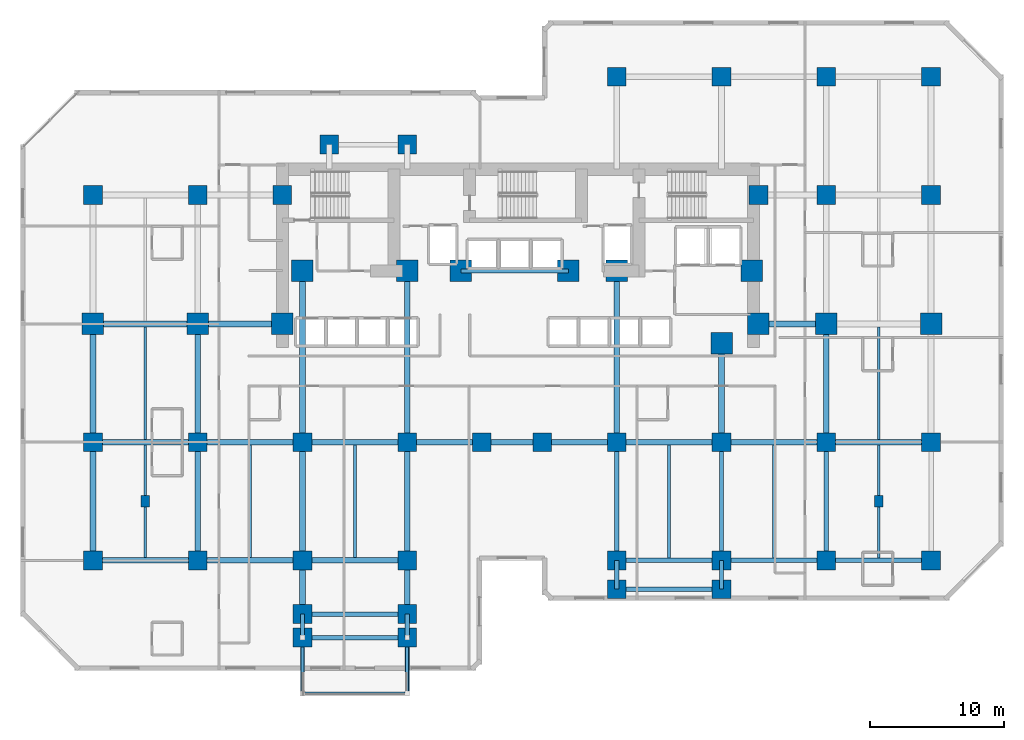
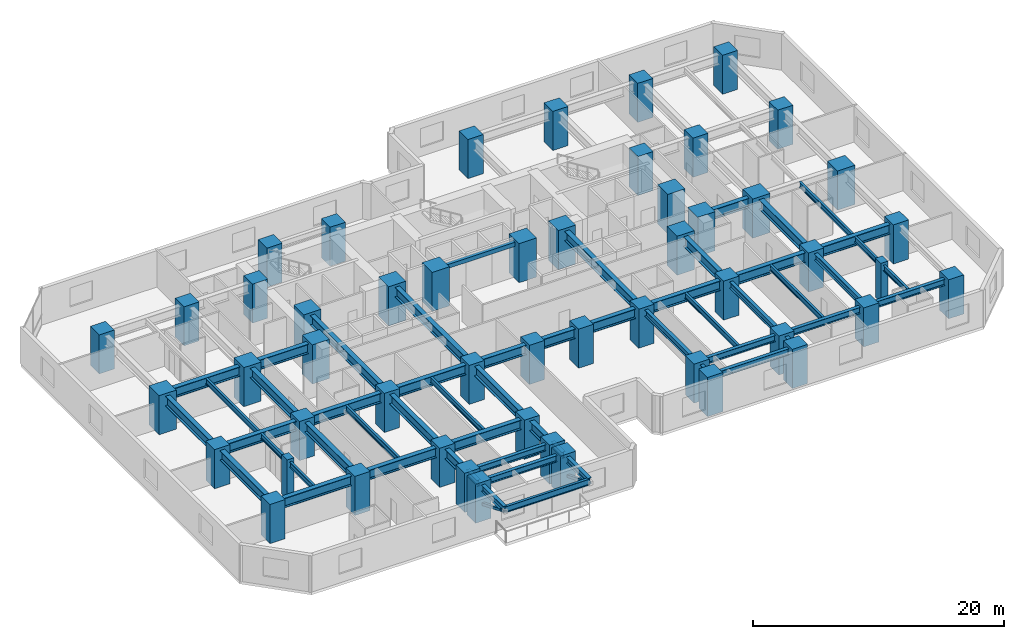
# One storey, part 1 of 11: 53 beams, 51 columns, 2 members.
"""IFC4 building model written with IfcOpenShell, lengths in metres."""

from ifc_helpers import new_model, si_unit, direction, frame, origin, origin_2d, place, context, subcontext, project, spatial, rectangle, hollow_rectangle, i_section, extrude, material, material_profile, profile_set, type_object, element, save


model = new_model("IFC4")

# Units and contexts
model_context = context("Model", 3, precision=1e-05, world=origin(), true_north=direction((0.0, 1.0)))
body_context = subcontext(model_context, "Body", "Model", "MODEL_VIEW")
ifc_project = project(units=[si_unit("LENGTHUNIT", "METRE"), si_unit("AREAUNIT", "SQUARE_METRE"), si_unit("VOLUMEUNIT", "CUBIC_METRE"), si_unit("PLANEANGLEUNIT", "RADIAN"), si_unit("MASSUNIT", "GRAM", prefix="KILO")], contexts=[model_context])

# Site, building, storey
site_placement = place(None, origin())
site = spatial("IfcSite", under=ifc_project, at=site_placement, CompositionType="ELEMENT")
building_placement = place(site_placement, origin())
building = spatial("IfcBuilding", under=site, at=building_placement, Name="Kestravale Grand Hotel", CompositionType="ELEMENT")
storey_placement = place(building_placement, frame((0.0, 0.0, 37.39990234375)))
storey = spatial("IfcBuildingStorey", under=building, at=storey_placement, Name="L08", CompositionType="ELEMENT", Elevation=37.39990234375)

# Columns
ifc_material_1 = material(Name="Concrete f'c 70 MPa", Category="concrete")
ifc_material_profile_1 = material_profile(ifc_material_1, rectangle(XDim=1.39990234375, YDim=1.39990234375, at=origin_2d()))
ifc_profile_set_1 = profile_set([ifc_material_profile_1], Name="Concrete f'c 70 MPa")
column_type_1 = type_object("IfcColumnType", Name="C-Z1-1400", PredefinedType="COLUMN", material=ifc_profile_set_1)
for number, where, z_axis, x_axis, name in (
    (1, (7.800048828125, 11.199951171875, 0.0), (0.0, 0.0, 1.0), (1.0, 0.0, 0.0), "L08 column 2-C"),
    (2, (7.800048828125, 20.0, 0.0), (0.0, 0.0, 1.0), (1.0, 0.0, 0.0), "L08 column 2-D"),
    (3, (7.800048828125, 38.39990234375, 0.0), (0.0, 0.0, 1.0), (1.0, 0.0, 0.0), "L08 column 2-F"),
    (4, (15.60009765625, 11.199951171875, 0.0), (0.0, 0.0, 1.0), (1.0, 0.0, 0.0), "L08 column 3-C"),
    (5, (15.60009765625, 20.0, 0.0), (0.0, 0.0, 1.0), (1.0, 0.0, 0.0), "L08 column 3-D"),
    (6, (15.60009765625, 38.39990234375, 0.0), (0.0, 0.0, 1.0), (1.0, 0.0, 0.0), "L08 column 3-F"),
    (7, (23.39990234375, 11.199951171875, 0.0), (0.0, 0.0, 1.0), (1.0, 0.0, 0.0), "L08 column 4-C"),
    (8, (23.39990234375, 20.0, 0.0), (0.0, 0.0, 1.0), (1.0, 0.0, 0.0), "L08 column 4-D"),
    (9, (31.199951171875, 11.199951171875, 0.0), (0.0, 0.0, 1.0), (1.0, 0.0, 0.0), "L08 column 5-C"),
    (10, (31.199951171875, 20.0, 0.0), (0.0, 0.0, 1.0), (1.0, 0.0, 0.0), "L08 column 5-D"),
    (11, (36.75, 20.0, 0.0), (0.0, 0.0, 1.0), (1.0, 0.0, 0.0), "L08 column 6-D"),
    (12, (41.25, 20.0, 0.0), (0.0, 0.0, 1.0), (1.0, 0.0, 0.0), "L08 column 7-D"),
    (13, (46.800048828125, 11.199951171875, 0.0), (0.0, 0.0, 1.0), (1.0, 0.0, 0.0), "L08 column 8-C"),
    (14, (46.800048828125, 20.0, 0.0), (0.0, 0.0, 1.0), (1.0, 0.0, 0.0), "L08 column 8-D"),
    (15, (46.800048828125, 47.199951171875, 0.0), (0.0, 0.0, 1.0), (1.0, 0.0, 0.0), "L08 column 8-G"),
    (16, (54.60009765625, 11.199951171875, 0.0), (0.0, 0.0, 1.0), (1.0, 0.0, 0.0), "L08 column 9-C"),
    (17, (54.60009765625, 20.0, 0.0), (0.0, 0.0, 1.0), (1.0, 0.0, 0.0), "L08 column 9-D"),
    (18, (54.60009765625, 47.199951171875, 0.0), (0.0, 0.0, 1.0), (1.0, 0.0, 0.0), "L08 column 9-G"),
    (19, (62.39990234375, 11.199951171875, 0.0), (0.0, 0.0, 1.0), (1.0, 0.0, 0.0), "L08 column 10-C"),
    (20, (62.39990234375, 20.0, 0.0), (0.0, 0.0, 1.0), (1.0, 0.0, 0.0), "L08 column 10-D"),
    (21, (62.39990234375, 38.39990234375, 0.0), (0.0, 0.0, 1.0), (1.0, 0.0, 0.0), "L08 column 10-F"),
    (22, (62.39990234375, 47.199951171875, 0.0), (0.0, 0.0, 1.0), (1.0, 0.0, 0.0), "L08 column 10-G"),
    (23, (70.199951171875, 11.199951171875, 0.0), (0.0, 0.0, 1.0), (1.0, 0.0, 0.0), "L08 column 11-C"),
    (24, (70.199951171875, 20.0, 0.0), (0.0, 0.0, 1.0), (1.0, 0.0, 0.0), "L08 column 11-D"),
    (25, (70.199951171875, 38.39990234375, 0.0), (0.0, 0.0, 1.0), (1.0, 0.0, 0.0), "L08 column 11-F"),
    (26, (70.199951171875, 47.199951171875, 0.0), (0.0, 0.0, 1.0), (1.0, 0.0, 0.0), "L08 column 11-G"),
    (27, (21.89990234375, 38.39990234375, 0.0), (0.0, 0.0, 1.0), (1.0, 0.0, 0.0), "L08 column CW-F"),
    (28, (57.35009765625, 38.39990234375, 0.0), (0.0, 0.0, 1.0), (1.0, 0.0, 0.0), "L08 column CE-F"),
    (29, (23.39990234375, 7.199951171875, 0.0), (0.0, 0.0, 1.0), (1.0, 0.0, 0.0), "L08 column 4-BS"),
    (30, (31.199951171875, 7.199951171875, 0.0), (0.0, 0.0, 1.0), (1.0, 0.0, 0.0), "L08 column 5-BS"),
    (31, (25.39990234375, 42.14990234375, 0.0), (0.0, 0.0, 1.0), (1.0, 0.0, 0.0), "L08 column 4-FN"),
    (32, (31.199951171875, 42.14990234375, 0.0), (0.0, 0.0, 1.0), (1.0, 0.0, 0.0), "L08 column 5-FN"),
    (33, (23.39990234375, 5.449951171875, 0.0), (0.0, 0.0, 1.0), (1.0, 0.0, 0.0), "L08 column 4-B1S"),
    (34, (31.199951171875, 5.449951171875, 0.0), (0.0, 0.0, 1.0), (1.0, 0.0, 0.0), "L08 column 5-B1S"),
    (35, (46.800048828125, 9.050048828125, 0.0), (0.0, 0.0, 1.0), (1.0, 0.0, 0.0), "L08 column 8-B1E"),
    (36, (54.60009765625, 9.050048828125, 0.0), (0.0, 0.0, 1.0), (1.0, 0.0, 0.0), "L08 column 9-B1E"),
):
    element("IfcColumn", number, at=place(storey_placement, frame(where, z_axis=z_axis, x_axis=x_axis)), inside=storey, type_object=column_type_1, Name=name, PredefinedType="COLUMN", context=body_context, shape_type="SweptSolid", body=[
        extrude(rectangle(XDim=1.39990234375, YDim=1.39990234375, at=origin_2d()), origin(), (0.0, 0.0, 1.0), 3.800048828125),
    ])
ifc_material_2 = material(Name="Concrete f'c 70 MPa", Category="concrete")
ifc_material_profile_2 = material_profile(ifc_material_2, rectangle(XDim=1.60009765625, YDim=1.60009765625, at=origin_2d()))
ifc_profile_set_2 = profile_set([ifc_material_profile_2], Name="Concrete f'c 70 MPa")
column_type_2 = type_object("IfcColumnType", Name="C-Z1-1600", PredefinedType="COLUMN", material=ifc_profile_set_2)
for number, where, z_axis, x_axis, name in (
    (37, (7.800048828125, 28.800048828125, 0.0), (0.0, 0.0, 1.0), (1.0, 0.0, 0.0), "L08 column 2-E"),
    (38, (15.60009765625, 28.800048828125, 0.0), (0.0, 0.0, 1.0), (1.0, 0.0, 0.0), "L08 column 3-E"),
    (39, (62.39990234375, 28.800048828125, 0.0), (0.0, 0.0, 1.0), (1.0, 0.0, 0.0), "L08 column 10-E"),
    (40, (70.199951171875, 28.800048828125, 0.0), (0.0, 0.0, 1.0), (1.0, 0.0, 0.0), "L08 column 11-E"),
    (41, (21.89990234375, 28.800048828125, 0.0), (0.0, 0.0, 1.0), (1.0, 0.0, 0.0), "L08 column CW-E"),
    (42, (57.35009765625, 28.800048828125, 0.0), (0.0, 0.0, 1.0), (1.0, 0.0, 0.0), "L08 column CE-E"),
    (43, (23.39990234375, 32.75, 0.0), (0.0, 0.0, 1.0), (1.0, 0.0, 0.0), "L08 column 4-CS"),
    (44, (31.199951171875, 32.75, 0.0), (0.0, 0.0, 1.0), (1.0, 0.0, 0.0), "L08 column 5-CS"),
    (45, (35.199951171875, 32.75, 0.0), (0.0, 0.0, 1.0), (1.0, 0.0, 0.0), "L08 column 6C-CS"),
    (46, (43.199951171875, 32.75, 0.0), (0.0, 0.0, 1.0), (1.0, 0.0, 0.0), "L08 column 7C-CS"),
    (47, (46.800048828125, 32.75, 0.0), (0.0, 0.0, 1.0), (1.0, 0.0, 0.0), "L08 column 8-CS"),
    (48, (54.60009765625, 27.35009765625, 0.0), (0.0, 0.0, 1.0), (1.0, 0.0, 0.0), "L08 column 9-CS"),
    (49, (56.85009765625, 32.75, 0.0), (0.0, 0.0, 1.0), (1.0, 0.0, 0.0), "L08 column 9C-CS"),
):
    element("IfcColumn", number, at=place(storey_placement, frame(where, z_axis=z_axis, x_axis=x_axis)), inside=storey, type_object=column_type_2, Name=name, PredefinedType="COLUMN", context=body_context, shape_type="SweptSolid", body=[
        extrude(rectangle(XDim=1.60009765625, YDim=1.60009765625, at=origin_2d()), origin(), (0.0, 0.0, 1.0), 3.800048828125),
    ])
ifc_material_3 = material(Name="Precast concrete f'c 45 MPa", Category="concrete")
ifc_material_profile_3 = material_profile(ifc_material_3, rectangle(XDim=0.64990234375, YDim=0.85009765625, at=origin_2d()))
ifc_profile_set_3 = profile_set([ifc_material_profile_3], Name="Precast concrete f'c 45 MPa")
column_type_3 = type_object("IfcColumnType", Name="C-Z1-PIL850", PredefinedType="PILASTER", material=ifc_profile_set_3)
for number, where, z_axis, x_axis, name in (
    (50, (11.699951171875, 15.60009765625, 0.0), (0.0, 0.0, 1.0), (1.0, 0.0, 0.0), "L08 Art Deco fluted pilaster P1"),
    (51, (66.300048828125, 15.60009765625, 0.0), (0.0, 0.0, 1.0), (1.0, 0.0, 0.0), "L08 Art Deco fluted pilaster P2"),
):
    element("IfcColumn", number, at=place(storey_placement, frame(where, z_axis=z_axis, x_axis=x_axis)), inside=storey, type_object=column_type_3, Name=name, PredefinedType="PILASTER", context=body_context, shape_type="SweptSolid", body=[
        extrude(rectangle(XDim=0.64990234375, YDim=0.85009765625, at=origin_2d()), origin(), (0.0, 0.0, 1.0), 3.800048828125),
    ])

# Beams
ifc_material_4 = material(Name="Steel ASTM A992 Grade 50", Category="steel")
ifc_material_profile_4 = material_profile(ifc_material_4, i_section(OverallWidth=0.2099609375, OverallDepth=0.535888671875, WebThickness=0.010986328125, FlangeThickness=0.017333984375, FilletRadius=0.017578125, at=origin_2d()))
ifc_profile_set_4 = profile_set([ifc_material_profile_4], Name="Steel ASTM A992 Grade 50")
beam_type_1 = type_object("IfcBeamType", Name="B-FLR-JST21", PredefinedType="JOIST", material=ifc_profile_set_4)
for number, where, z_axis, x_axis, name in (
    (52, (11.699951171875, 11.412109375, 3.272216796875), (0.0, 1.0, 0.0), (-1.0, 0.0, 0.0), "L08 floor joist 2-3/C-D #1"),
    (53, (11.699951171875, 20.2119140625, 3.272216796875), (0.0, 1.0, 0.0), (-1.0, 0.0, 0.0), "L08 floor joist 2-3/D-E #1"),
    (54, (19.5, 11.412109375, 3.272216796875), (0.0, 1.0, 0.0), (-1.0, 0.0, 0.0), "L08 floor joist 3-4/C-D #1"),
    (55, (27.300048828125, 11.412109375, 3.272216796875), (0.0, 1.0, 0.0), (-1.0, 0.0, 0.0), "L08 floor joist 4-5/C-D #1"),
):
    element("IfcBeam", number, at=place(storey_placement, frame(where, z_axis=z_axis, x_axis=x_axis)), inside=storey, type_object=beam_type_1, Name=name, PredefinedType="JOIST", context=body_context, shape_type="SweptSolid", body=[
        extrude(i_section(OverallWidth=0.2099609375, OverallDepth=0.535888671875, WebThickness=0.010986328125, FlangeThickness=0.017333984375, FilletRadius=0.017578125, at=origin_2d()), origin(), (0.0, 0.0, 1.0), 8.3759765625),
    ])
for number, where, z_axis, x_axis, name in (
    (56, (50.699951171875, 11.362548828125, 3.272216796875), (0.0, 1.0, 0.0), (-1.0, 0.0, 0.0), "L08 floor joist 8-9/C-D #1"),
    (57, (58.5, 11.362548828125, 3.272216796875), (0.0, 1.0, 0.0), (-1.0, 0.0, 0.0), "L08 floor joist 9-10/C-D #1"),
    (58, (66.300048828125, 11.362548828125, 3.272216796875), (0.0, 1.0, 0.0), (-1.0, 0.0, 0.0), "L08 floor joist 10-11/C-D #1"),
):
    element("IfcBeam", number, at=place(storey_placement, frame(where, z_axis=z_axis, x_axis=x_axis)), inside=storey, type_object=beam_type_1, Name=name, PredefinedType="JOIST", context=body_context, shape_type="SweptSolid", body=[
        extrude(i_section(OverallWidth=0.2099609375, OverallDepth=0.535888671875, WebThickness=0.010986328125, FlangeThickness=0.017333984375, FilletRadius=0.017578125, at=origin_2d()), origin(), (0.0, 0.0, 1.0), 8.425537109375),
    ])
beam_1_placement = place(storey_placement, frame((66.300048828125, 20.2119140625, 3.272216796875), z_axis=(0.0, 1.0, 0.0), x_axis=(-1.0, 0.0, 0.0)))
element("IfcBeam", 59, at=beam_1_placement, inside=storey, type_object=beam_type_1, Name="L08 floor joist 10-11/D-E #1", PredefinedType="JOIST", context=body_context, shape_type="SweptSolid", body=[
    extrude(i_section(OverallWidth=0.2099609375, OverallDepth=0.535888671875, WebThickness=0.010986328125, FlangeThickness=0.017333984375, FilletRadius=0.017578125, at=origin_2d()), origin(), (0.0, 0.0, 1.0), 8.3759765625),
])
ifc_material_5 = material(Name="Concrete f'c 45 MPa", Category="concrete")
ifc_material_profile_5 = material_profile(ifc_material_5, rectangle(XDim=0.300048828125, YDim=0.39990234375, at=origin_2d()))
ifc_profile_set_5 = profile_set([ifc_material_profile_5], Name="Concrete f'c 45 MPa")
beam_type_2 = type_object("IfcBeamType", Name="B-FLR-LNT400", PredefinedType="LINTEL", material=ifc_profile_set_5)
beam_2_placement = place(storey_placement, frame((35.199951171875, 32.75, 3.340087890625), z_axis=(1.0, 0.0, 0.0), x_axis=(0.0, 1.0, 0.0)))
element("IfcBeam", 60, at=beam_2_placement, inside=storey, type_object=beam_type_2, Name="L08 core portal header lintel", PredefinedType="LINTEL", context=body_context, shape_type="SweptSolid", body=[
    extrude(rectangle(XDim=0.300048828125, YDim=0.39990234375, at=origin_2d()), origin(), (0.0, 0.0, 1.0), 8.0),
])
ifc_material_6 = material(Name="Steel ASTM A992 Grade 50", Category="steel")
ifc_material_profile_6 = material_profile(ifc_material_6, i_section(OverallWidth=0.324951171875, OverallDepth=0.612060546875, WebThickness=0.0126953125, FlangeThickness=0.01904296875, FilletRadius=0.018798828125, at=origin_2d()))
ifc_profile_set_6 = profile_set([ifc_material_profile_6], Name="Steel ASTM A992 Grade 50")
beam_type_3 = type_object("IfcBeamType", Name="B-FLR-W24A", PredefinedType="SPANDREL", material=ifc_profile_set_6)
beam_3_placement = place(storey_placement, frame((46.800048828125, 11.199951171875, 3.234130859375), z_axis=(1.0, 0.0, 0.0), x_axis=(0.0, 1.0, 0.0)))
element("IfcBeam", 61, at=beam_3_placement, inside=storey, type_object=beam_type_3, Name="L08 spandrel C:8-9", PredefinedType="SPANDREL", context=body_context, shape_type="SweptSolid", body=[
    extrude(i_section(OverallWidth=0.324951171875, OverallDepth=0.612060546875, WebThickness=0.0126953125, FlangeThickness=0.01904296875, FilletRadius=0.018798828125, at=origin_2d()), origin(), (0.0, 0.0, 1.0), 7.800048828125),
])
beam_4_placement = place(storey_placement, frame((54.60009765625, 11.199951171875, 3.234130859375), z_axis=(1.0, 0.0, 0.0), x_axis=(0.0, 1.0, 0.0)))
element("IfcBeam", 62, at=beam_4_placement, inside=storey, type_object=beam_type_3, Name="L08 spandrel C:9-10", PredefinedType="SPANDREL", context=body_context, shape_type="SweptSolid", body=[
    extrude(i_section(OverallWidth=0.324951171875, OverallDepth=0.612060546875, WebThickness=0.0126953125, FlangeThickness=0.01904296875, FilletRadius=0.018798828125, at=origin_2d()), origin(), (0.0, 0.0, 1.0), 7.7998046875),
])
for number, where, z_axis, x_axis, name in (
    (63, (62.39990234375, 11.199951171875, 3.234130859375), (1.0, 0.0, 0.0), (0.0, 1.0, 0.0), "L08 spandrel C:10-11"),
    (64, (23.39990234375, 5.449951171875, 3.234130859375), (1.0, 0.0, 0.0), (0.0, 1.0, 0.0), "L08 perimeter tie spandrel B1S:4-5"),
    (65, (46.800048828125, 9.050048828125, 3.234130859375), (1.0, 0.0, 0.0), (0.0, 1.0, 0.0), "L08 perimeter tie spandrel B1E:8-9"),
    (66, (23.39990234375, 7.199951171875, 3.234130859375), (1.0, 0.0, 0.0), (0.0, 1.0, 0.0), "L08 perimeter tie spandrel BS:4-5"),
):
    element("IfcBeam", number, at=place(storey_placement, frame(where, z_axis=z_axis, x_axis=x_axis)), inside=storey, type_object=beam_type_3, Name=name, PredefinedType="SPANDREL", context=body_context, shape_type="SweptSolid", body=[
        extrude(i_section(OverallWidth=0.324951171875, OverallDepth=0.612060546875, WebThickness=0.0126953125, FlangeThickness=0.01904296875, FilletRadius=0.018798828125, at=origin_2d()), origin(), (0.0, 0.0, 1.0), 7.800048828125),
    ])
for number, where, z_axis, x_axis, name in (
    (67, (23.39990234375, 5.449951171875, 3.234130859375), (0.0, 1.0, 0.0), (-1.0, 0.0, 0.0), "L08 spandrel 4:B1S-BS"),
    (68, (31.199951171875, 5.449951171875, 3.234130859375), (0.0, 1.0, 0.0), (-1.0, 0.0, 0.0), "L08 spandrel 5:B1S-BS"),
):
    element("IfcBeam", number, at=place(storey_placement, frame(where, z_axis=z_axis, x_axis=x_axis)), inside=storey, type_object=beam_type_3, Name=name, PredefinedType="SPANDREL", context=body_context, shape_type="SweptSolid", body=[
        extrude(i_section(OverallWidth=0.324951171875, OverallDepth=0.612060546875, WebThickness=0.0126953125, FlangeThickness=0.01904296875, FilletRadius=0.018798828125, at=origin_2d()), origin(), (0.0, 0.0, 1.0), 1.75),
    ])
beam_5_placement = place(storey_placement, frame((46.800048828125, 9.050048828125, 3.234130859375), z_axis=(0.0, 1.0, 0.0), x_axis=(-1.0, 0.0, 0.0)))
element("IfcBeam", 69, at=beam_5_placement, inside=storey, type_object=beam_type_3, Name="L08 spandrel 8:B1E-C", PredefinedType="SPANDREL", context=body_context, shape_type="SweptSolid", body=[
    extrude(i_section(OverallWidth=0.324951171875, OverallDepth=0.612060546875, WebThickness=0.0126953125, FlangeThickness=0.01904296875, FilletRadius=0.018798828125, at=origin_2d()), origin(), (0.0, 0.0, 1.0), 2.14990234375),
])
beam_6_placement = place(storey_placement, frame((46.800048828125, 11.199951171875, 3.234130859375), z_axis=(0.0, 1.0, 0.0), x_axis=(-1.0, 0.0, 0.0)))
element("IfcBeam", 70, at=beam_6_placement, inside=storey, type_object=beam_type_3, Name="L08 spandrel 8:C-D", PredefinedType="SPANDREL", context=body_context, shape_type="SweptSolid", body=[
    extrude(i_section(OverallWidth=0.324951171875, OverallDepth=0.612060546875, WebThickness=0.0126953125, FlangeThickness=0.01904296875, FilletRadius=0.018798828125, at=origin_2d()), origin(), (0.0, 0.0, 1.0), 8.800048828125),
])
beam_7_placement = place(storey_placement, frame((54.60009765625, 9.050048828125, 3.234130859375), z_axis=(0.0, 1.0, 0.0), x_axis=(-1.0, 0.0, 0.0)))
element("IfcBeam", 71, at=beam_7_placement, inside=storey, type_object=beam_type_3, Name="L08 spandrel 9:B1E-C", PredefinedType="SPANDREL", context=body_context, shape_type="SweptSolid", body=[
    extrude(i_section(OverallWidth=0.324951171875, OverallDepth=0.612060546875, WebThickness=0.0126953125, FlangeThickness=0.01904296875, FilletRadius=0.018798828125, at=origin_2d()), origin(), (0.0, 0.0, 1.0), 2.14990234375),
])
for number, where, z_axis, x_axis, name in (
    (72, (54.60009765625, 11.199951171875, 3.234130859375), (0.0, 1.0, 0.0), (-1.0, 0.0, 0.0), "L08 spandrel 9:C-D"),
    (73, (62.39990234375, 11.199951171875, 3.234130859375), (0.0, 1.0, 0.0), (-1.0, 0.0, 0.0), "L08 spandrel 10:C-D"),
):
    element("IfcBeam", number, at=place(storey_placement, frame(where, z_axis=z_axis, x_axis=x_axis)), inside=storey, type_object=beam_type_3, Name=name, PredefinedType="SPANDREL", context=body_context, shape_type="SweptSolid", body=[
        extrude(i_section(OverallWidth=0.324951171875, OverallDepth=0.612060546875, WebThickness=0.0126953125, FlangeThickness=0.01904296875, FilletRadius=0.018798828125, at=origin_2d()), origin(), (0.0, 0.0, 1.0), 8.800048828125),
    ])
for number, where, z_axis, x_axis, name in (
    (74, (23.39990234375, 5.449951171875, 3.22412109375), (0.0, -1.0, 0.0), (1.0, 0.0, 0.0), "L09 terrace cantilever beam 1"),
    (75, (31.199951171875, 5.449951171875, 3.22412109375), (0.0, -1.0, 0.0), (1.0, 0.0, 0.0), "L09 terrace cantilever beam 2"),
):
    element("IfcBeam", number, at=place(storey_placement, frame(where, z_axis=z_axis, x_axis=x_axis)), inside=storey, type_object=beam_type_3, Name=name, PredefinedType="SPANDREL", context=body_context, shape_type="SweptSolid", body=[
        extrude(i_section(OverallWidth=0.324951171875, OverallDepth=0.612060546875, WebThickness=0.0126953125, FlangeThickness=0.01904296875, FilletRadius=0.018798828125, at=origin_2d()), origin(), (0.0, 0.0, 1.0), 4.14990234375),
    ])
ifc_material_7 = material(Name="Steel ASTM A992 Grade 50", Category="steel")
ifc_material_profile_7 = material_profile(ifc_material_7, i_section(OverallWidth=0.22900390625, OverallDepth=0.612060546875, WebThickness=0.011962890625, FlangeThickness=0.01953125, FilletRadius=0.019287109375, at=origin_2d()))
ifc_profile_set_7 = profile_set([ifc_material_profile_7], Name="Steel ASTM A992 Grade 50")
beam_type_4 = type_object("IfcBeamType", Name="B-FLR-W24B", PredefinedType="SPANDREL", material=ifc_profile_set_7)
beam_8_placement = place(storey_placement, frame((23.39990234375, 1.300048828125, 3.22412109375), z_axis=(1.0, 0.0, 0.0), x_axis=(0.0, 1.0, 0.0)))
element("IfcBeam", 76, at=beam_8_placement, inside=storey, type_object=beam_type_4, Name="L09 terrace edge spandrel", PredefinedType="SPANDREL", context=body_context, shape_type="SweptSolid", body=[
    extrude(i_section(OverallWidth=0.22900390625, OverallDepth=0.612060546875, WebThickness=0.011962890625, FlangeThickness=0.01953125, FilletRadius=0.019287109375, at=origin_2d()), origin(), (0.0, 0.0, 1.0), 7.800048828125),
])
ifc_material_8 = material(Name="Steel ASTM A992 Grade 50", Category="steel")
ifc_material_profile_8 = material_profile(ifc_material_8, i_section(OverallWidth=0.424072265625, OverallDepth=0.947021484375, WebThickness=0.02392578125, FlangeThickness=0.042724609375, FilletRadius=0.0283203125, at=origin_2d()))
ifc_profile_set_8 = profile_set([ifc_material_profile_8], Name="Steel ASTM A992 Grade 50")
beam_type_5 = type_object("IfcBeamType", Name="B-GRD-W36", PredefinedType="BEAM", material=ifc_profile_set_8)
beam_9_placement = place(storey_placement, frame((7.800048828125, 11.199951171875, 3.066650390625), z_axis=(1.0, 0.0, 0.0), x_axis=(0.0, 1.0, 0.0)))
element("IfcBeam", 77, at=beam_9_placement, inside=storey, type_object=beam_type_5, Name="L08 girder C:2-3", PredefinedType="BEAM", context=body_context, shape_type="SweptSolid", body=[
    extrude(i_section(OverallWidth=0.424072265625, OverallDepth=0.947021484375, WebThickness=0.02392578125, FlangeThickness=0.042724609375, FilletRadius=0.0283203125, at=origin_2d()), origin(), (0.0, 0.0, 1.0), 7.800048828125),
])
beam_10_placement = place(storey_placement, frame((15.60009765625, 11.199951171875, 3.066650390625), z_axis=(1.0, 0.0, 0.0), x_axis=(0.0, 1.0, 0.0)))
element("IfcBeam", 78, at=beam_10_placement, inside=storey, type_object=beam_type_5, Name="L08 girder C:3-4", PredefinedType="BEAM", context=body_context, shape_type="SweptSolid", body=[
    extrude(i_section(OverallWidth=0.424072265625, OverallDepth=0.947021484375, WebThickness=0.02392578125, FlangeThickness=0.042724609375, FilletRadius=0.0283203125, at=origin_2d()), origin(), (0.0, 0.0, 1.0), 7.7998046875),
])
for number, where, z_axis, x_axis, name in (
    (79, (23.39990234375, 11.199951171875, 3.066650390625), (1.0, 0.0, 0.0), (0.0, 1.0, 0.0), "L08 girder C:4-5"),
    (80, (7.800048828125, 20.0, 3.066650390625), (1.0, 0.0, 0.0), (0.0, 1.0, 0.0), "L08 girder D:2-3"),
):
    element("IfcBeam", number, at=place(storey_placement, frame(where, z_axis=z_axis, x_axis=x_axis)), inside=storey, type_object=beam_type_5, Name=name, PredefinedType="BEAM", context=body_context, shape_type="SweptSolid", body=[
        extrude(i_section(OverallWidth=0.424072265625, OverallDepth=0.947021484375, WebThickness=0.02392578125, FlangeThickness=0.042724609375, FilletRadius=0.0283203125, at=origin_2d()), origin(), (0.0, 0.0, 1.0), 7.800048828125),
    ])
beam_11_placement = place(storey_placement, frame((15.60009765625, 20.0, 3.066650390625), z_axis=(1.0, 0.0, 0.0), x_axis=(0.0, 1.0, 0.0)))
element("IfcBeam", 81, at=beam_11_placement, inside=storey, type_object=beam_type_5, Name="L08 girder D:3-4", PredefinedType="BEAM", context=body_context, shape_type="SweptSolid", body=[
    extrude(i_section(OverallWidth=0.424072265625, OverallDepth=0.947021484375, WebThickness=0.02392578125, FlangeThickness=0.042724609375, FilletRadius=0.0283203125, at=origin_2d()), origin(), (0.0, 0.0, 1.0), 7.7998046875),
])
beam_12_placement = place(storey_placement, frame((23.39990234375, 20.0, 3.066650390625), z_axis=(1.0, 0.0, 0.0), x_axis=(0.0, 1.0, 0.0)))
element("IfcBeam", 82, at=beam_12_placement, inside=storey, type_object=beam_type_5, Name="L08 girder D:4-5", PredefinedType="BEAM", context=body_context, shape_type="SweptSolid", body=[
    extrude(i_section(OverallWidth=0.424072265625, OverallDepth=0.947021484375, WebThickness=0.02392578125, FlangeThickness=0.042724609375, FilletRadius=0.0283203125, at=origin_2d()), origin(), (0.0, 0.0, 1.0), 7.800048828125),
])
beam_13_placement = place(storey_placement, frame((31.199951171875, 20.0, 3.066650390625), z_axis=(1.0, 0.0, 0.0), x_axis=(0.0, 1.0, 0.0)))
element("IfcBeam", 83, at=beam_13_placement, inside=storey, type_object=beam_type_5, Name="L08 girder D:5-6", PredefinedType="BEAM", context=body_context, shape_type="SweptSolid", body=[
    extrude(i_section(OverallWidth=0.424072265625, OverallDepth=0.947021484375, WebThickness=0.02392578125, FlangeThickness=0.042724609375, FilletRadius=0.0283203125, at=origin_2d()), origin(), (0.0, 0.0, 1.0), 5.550048828125),
])
beam_14_placement = place(storey_placement, frame((36.75, 20.0, 3.066650390625), z_axis=(1.0, 0.0, 0.0), x_axis=(0.0, 1.0, 0.0)))
element("IfcBeam", 84, at=beam_14_placement, inside=storey, type_object=beam_type_5, Name="L08 girder D:6-7", PredefinedType="BEAM", context=body_context, shape_type="SweptSolid", body=[
    extrude(i_section(OverallWidth=0.424072265625, OverallDepth=0.947021484375, WebThickness=0.02392578125, FlangeThickness=0.042724609375, FilletRadius=0.0283203125, at=origin_2d()), origin(), (0.0, 0.0, 1.0), 4.5),
])
beam_15_placement = place(storey_placement, frame((41.25, 20.0, 3.066650390625), z_axis=(1.0, 0.0, 0.0), x_axis=(0.0, 1.0, 0.0)))
element("IfcBeam", 85, at=beam_15_placement, inside=storey, type_object=beam_type_5, Name="L08 girder D:7-8", PredefinedType="BEAM", context=body_context, shape_type="SweptSolid", body=[
    extrude(i_section(OverallWidth=0.424072265625, OverallDepth=0.947021484375, WebThickness=0.02392578125, FlangeThickness=0.042724609375, FilletRadius=0.0283203125, at=origin_2d()), origin(), (0.0, 0.0, 1.0), 5.550048828125),
])
beam_16_placement = place(storey_placement, frame((46.800048828125, 20.0, 3.066650390625), z_axis=(1.0, 0.0, 0.0), x_axis=(0.0, 1.0, 0.0)))
element("IfcBeam", 86, at=beam_16_placement, inside=storey, type_object=beam_type_5, Name="L08 girder D:8-9", PredefinedType="BEAM", context=body_context, shape_type="SweptSolid", body=[
    extrude(i_section(OverallWidth=0.424072265625, OverallDepth=0.947021484375, WebThickness=0.02392578125, FlangeThickness=0.042724609375, FilletRadius=0.0283203125, at=origin_2d()), origin(), (0.0, 0.0, 1.0), 7.800048828125),
])
beam_17_placement = place(storey_placement, frame((54.60009765625, 20.0, 3.066650390625), z_axis=(1.0, 0.0, 0.0), x_axis=(0.0, 1.0, 0.0)))
element("IfcBeam", 87, at=beam_17_placement, inside=storey, type_object=beam_type_5, Name="L08 girder D:9-10", PredefinedType="BEAM", context=body_context, shape_type="SweptSolid", body=[
    extrude(i_section(OverallWidth=0.424072265625, OverallDepth=0.947021484375, WebThickness=0.02392578125, FlangeThickness=0.042724609375, FilletRadius=0.0283203125, at=origin_2d()), origin(), (0.0, 0.0, 1.0), 7.7998046875),
])
for number, where, z_axis, x_axis, name in (
    (88, (62.39990234375, 20.0, 3.066650390625), (1.0, 0.0, 0.0), (0.0, 1.0, 0.0), "L08 girder D:10-11"),
    (89, (7.800048828125, 28.800048828125, 3.066650390625), (1.0, 0.0, 0.0), (0.0, 1.0, 0.0), "L08 girder E:2-3"),
):
    element("IfcBeam", number, at=place(storey_placement, frame(where, z_axis=z_axis, x_axis=x_axis)), inside=storey, type_object=beam_type_5, Name=name, PredefinedType="BEAM", context=body_context, shape_type="SweptSolid", body=[
        extrude(i_section(OverallWidth=0.424072265625, OverallDepth=0.947021484375, WebThickness=0.02392578125, FlangeThickness=0.042724609375, FilletRadius=0.0283203125, at=origin_2d()), origin(), (0.0, 0.0, 1.0), 7.800048828125),
    ])
beam_18_placement = place(storey_placement, frame((15.60009765625, 28.800048828125, 3.066650390625), z_axis=(1.0, 0.0, 0.0), x_axis=(0.0, 1.0, 0.0)))
element("IfcBeam", 90, at=beam_18_placement, inside=storey, type_object=beam_type_5, Name="L08 girder E:3-CW", PredefinedType="BEAM", context=body_context, shape_type="SweptSolid", body=[
    extrude(i_section(OverallWidth=0.424072265625, OverallDepth=0.947021484375, WebThickness=0.02392578125, FlangeThickness=0.042724609375, FilletRadius=0.0283203125, at=origin_2d()), origin(), (0.0, 0.0, 1.0), 6.2998046875),
])
beam_19_placement = place(storey_placement, frame((57.35009765625, 28.800048828125, 3.066650390625), z_axis=(1.0, 0.0, 0.0), x_axis=(0.0, 1.0, 0.0)))
element("IfcBeam", 91, at=beam_19_placement, inside=storey, type_object=beam_type_5, Name="L08 girder E:CE-10", PredefinedType="BEAM", context=body_context, shape_type="SweptSolid", body=[
    extrude(i_section(OverallWidth=0.424072265625, OverallDepth=0.947021484375, WebThickness=0.02392578125, FlangeThickness=0.042724609375, FilletRadius=0.0283203125, at=origin_2d()), origin(), (0.0, 0.0, 1.0), 5.0498046875),
])
for number, where, z_axis, x_axis, name in (
    (92, (7.800048828125, 11.199951171875, 3.066650390625), (0.0, 1.0, 0.0), (-1.0, 0.0, 0.0), "L08 girder 2:C-D"),
    (93, (7.800048828125, 20.0, 3.066650390625), (0.0, 1.0, 0.0), (-1.0, 0.0, 0.0), "L08 girder 2:D-E"),
    (94, (15.60009765625, 11.199951171875, 3.066650390625), (0.0, 1.0, 0.0), (-1.0, 0.0, 0.0), "L08 girder 3:C-D"),
    (95, (15.60009765625, 20.0, 3.066650390625), (0.0, 1.0, 0.0), (-1.0, 0.0, 0.0), "L08 girder 3:D-E"),
):
    element("IfcBeam", number, at=place(storey_placement, frame(where, z_axis=z_axis, x_axis=x_axis)), inside=storey, type_object=beam_type_5, Name=name, PredefinedType="BEAM", context=body_context, shape_type="SweptSolid", body=[
        extrude(i_section(OverallWidth=0.424072265625, OverallDepth=0.947021484375, WebThickness=0.02392578125, FlangeThickness=0.042724609375, FilletRadius=0.0283203125, at=origin_2d()), origin(), (0.0, 0.0, 1.0), 8.800048828125),
    ])
beam_20_placement = place(storey_placement, frame((23.39990234375, 7.199951171875, 3.066650390625), z_axis=(0.0, 1.0, 0.0), x_axis=(-1.0, 0.0, 0.0)))
element("IfcBeam", 96, at=beam_20_placement, inside=storey, type_object=beam_type_5, Name="L08 girder 4:BS-C", PredefinedType="BEAM", context=body_context, shape_type="SweptSolid", body=[
    extrude(i_section(OverallWidth=0.424072265625, OverallDepth=0.947021484375, WebThickness=0.02392578125, FlangeThickness=0.042724609375, FilletRadius=0.0283203125, at=origin_2d()), origin(), (0.0, 0.0, 1.0), 4.0),
])
beam_21_placement = place(storey_placement, frame((23.39990234375, 11.199951171875, 3.066650390625), z_axis=(0.0, 1.0, 0.0), x_axis=(-1.0, 0.0, 0.0)))
element("IfcBeam", 97, at=beam_21_placement, inside=storey, type_object=beam_type_5, Name="L08 girder 4:C-D", PredefinedType="BEAM", context=body_context, shape_type="SweptSolid", body=[
    extrude(i_section(OverallWidth=0.424072265625, OverallDepth=0.947021484375, WebThickness=0.02392578125, FlangeThickness=0.042724609375, FilletRadius=0.0283203125, at=origin_2d()), origin(), (0.0, 0.0, 1.0), 8.800048828125),
])
beam_22_placement = place(storey_placement, frame((23.39990234375, 20.0, 3.066650390625), z_axis=(0.0, 1.0, 0.0), x_axis=(-1.0, 0.0, 0.0)))
element("IfcBeam", 98, at=beam_22_placement, inside=storey, type_object=beam_type_5, Name="L08 girder 4:D-CS", PredefinedType="BEAM", context=body_context, shape_type="SweptSolid", body=[
    extrude(i_section(OverallWidth=0.424072265625, OverallDepth=0.947021484375, WebThickness=0.02392578125, FlangeThickness=0.042724609375, FilletRadius=0.0283203125, at=origin_2d()), origin(), (0.0, 0.0, 1.0), 12.75),
])
beam_23_placement = place(storey_placement, frame((31.199951171875, 7.199951171875, 3.066650390625), z_axis=(0.0, 1.0, 0.0), x_axis=(-1.0, 0.0, 0.0)))
element("IfcBeam", 99, at=beam_23_placement, inside=storey, type_object=beam_type_5, Name="L08 girder 5:BS-C", PredefinedType="BEAM", context=body_context, shape_type="SweptSolid", body=[
    extrude(i_section(OverallWidth=0.424072265625, OverallDepth=0.947021484375, WebThickness=0.02392578125, FlangeThickness=0.042724609375, FilletRadius=0.0283203125, at=origin_2d()), origin(), (0.0, 0.0, 1.0), 4.0),
])
beam_24_placement = place(storey_placement, frame((31.199951171875, 11.199951171875, 3.066650390625), z_axis=(0.0, 1.0, 0.0), x_axis=(-1.0, 0.0, 0.0)))
element("IfcBeam", 100, at=beam_24_placement, inside=storey, type_object=beam_type_5, Name="L08 girder 5:C-D", PredefinedType="BEAM", context=body_context, shape_type="SweptSolid", body=[
    extrude(i_section(OverallWidth=0.424072265625, OverallDepth=0.947021484375, WebThickness=0.02392578125, FlangeThickness=0.042724609375, FilletRadius=0.0283203125, at=origin_2d()), origin(), (0.0, 0.0, 1.0), 8.800048828125),
])
for number, where, z_axis, x_axis, name in (
    (101, (31.199951171875, 20.0, 3.066650390625), (0.0, 1.0, 0.0), (-1.0, 0.0, 0.0), "L08 girder 5:D-CS"),
    (102, (46.800048828125, 20.0, 3.066650390625), (0.0, 1.0, 0.0), (-1.0, 0.0, 0.0), "L08 girder 8:D-CS"),
):
    element("IfcBeam", number, at=place(storey_placement, frame(where, z_axis=z_axis, x_axis=x_axis)), inside=storey, type_object=beam_type_5, Name=name, PredefinedType="BEAM", context=body_context, shape_type="SweptSolid", body=[
        extrude(i_section(OverallWidth=0.424072265625, OverallDepth=0.947021484375, WebThickness=0.02392578125, FlangeThickness=0.042724609375, FilletRadius=0.0283203125, at=origin_2d()), origin(), (0.0, 0.0, 1.0), 12.75),
    ])
beam_25_placement = place(storey_placement, frame((54.60009765625, 20.0, 3.066650390625), z_axis=(0.0, 1.0, 0.0), x_axis=(-1.0, 0.0, 0.0)))
element("IfcBeam", 103, at=beam_25_placement, inside=storey, type_object=beam_type_5, Name="L08 girder 9:D-CS", PredefinedType="BEAM", context=body_context, shape_type="SweptSolid", body=[
    extrude(i_section(OverallWidth=0.424072265625, OverallDepth=0.947021484375, WebThickness=0.02392578125, FlangeThickness=0.042724609375, FilletRadius=0.0283203125, at=origin_2d()), origin(), (0.0, 0.0, 1.0), 7.35009765625),
])
beam_26_placement = place(storey_placement, frame((62.39990234375, 20.0, 3.066650390625), z_axis=(0.0, 1.0, 0.0), x_axis=(-1.0, 0.0, 0.0)))
element("IfcBeam", 104, at=beam_26_placement, inside=storey, type_object=beam_type_5, Name="L08 girder 10:D-E", PredefinedType="BEAM", context=body_context, shape_type="SweptSolid", body=[
    extrude(i_section(OverallWidth=0.424072265625, OverallDepth=0.947021484375, WebThickness=0.02392578125, FlangeThickness=0.042724609375, FilletRadius=0.0283203125, at=origin_2d()), origin(), (0.0, 0.0, 1.0), 8.800048828125),
])

# Members
ifc_material_9 = material(Name="Steel ASTM A500 Grade C", Category="steel")
ifc_material_profile_9 = material_profile(ifc_material_9, hollow_rectangle(XDim=0.25, YDim=0.25, WallThickness=0.011962890625, InnerFilletRadius=0.011962890625, OuterFilletRadius=0.02392578125, at=origin_2d()))
ifc_profile_set_9 = profile_set([ifc_material_profile_9], Name="Steel ASTM A500 Grade C")
member_type = type_object("IfcMemberType", Name="M-BLT-STR250", PredefinedType="STRUT", material=ifc_profile_set_9)
for number, where, z_axis, x_axis, name in (
    (105, (23.39990234375, 5.449951171875, 1.3740234375), (0.0, -0.925350852517, 0.379111856508), (1.0, 0.0, 0.0), "L09 terrace knee-brace strut 1"),
    (106, (31.199951171875, 5.449951171875, 1.3740234375), (0.0, -0.925350852517, 0.379111856508), (1.0, 0.0, 0.0), "L09 terrace knee-brace strut 2"),
):
    element("IfcMember", number, at=place(storey_placement, frame(where, z_axis=z_axis, x_axis=x_axis)), inside=storey, type_object=member_type, Name=name, PredefinedType="STRUT", context=body_context, shape_type="SweptSolid", body=[
        extrude(hollow_rectangle(XDim=0.25, YDim=0.25, WallThickness=0.011962890625, InnerFilletRadius=0.011962890625, OuterFilletRadius=0.02392578125, at=origin_2d()), origin(), (0.0, 0.0, 1.0), 4.484619140625),
    ])

save(model, "model.ifc")
